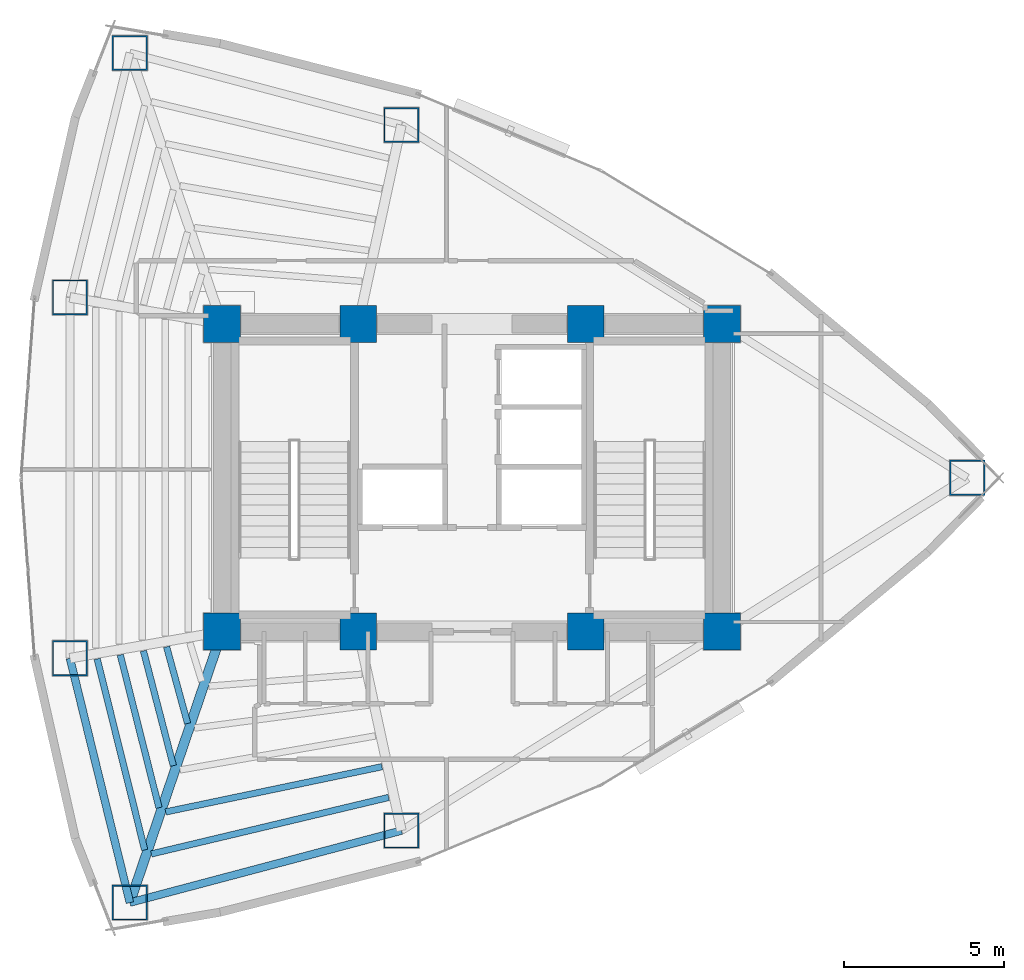
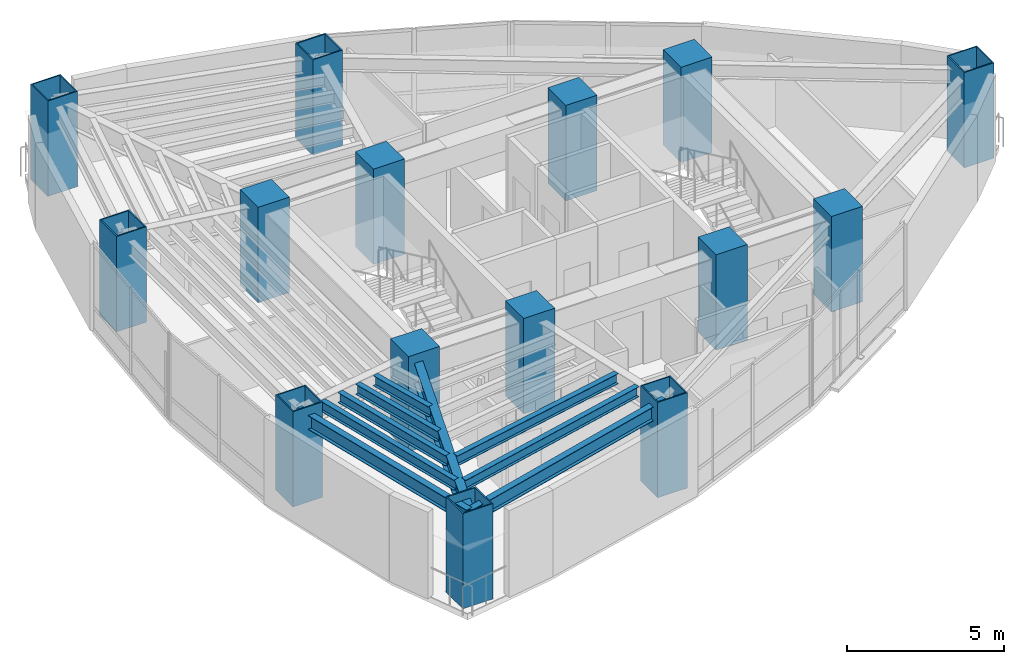
# One storey, part 1 of 15: 15 columns, 9 beams.
"""IFC4 building model written with IfcOpenShell, lengths in metres."""

from ifc_helpers import new_model, si_unit, direction, frame, origin, origin_2d, place, context, subcontext, project, spatial, rectangle, hollow_rectangle, i_section, extrude, material, material_profile, profile_set, type_object, element, save


model = new_model("IFC4")

# Units and contexts
model_context = context("Model", 3, precision=1e-05, world=origin(), true_north=direction((0.0, 1.0)))
body_context = subcontext(model_context, "Body", "Model", "MODEL_VIEW")
ifc_project = project(units=[si_unit("LENGTHUNIT", "METRE"), si_unit("AREAUNIT", "SQUARE_METRE"), si_unit("VOLUMEUNIT", "CUBIC_METRE"), si_unit("PLANEANGLEUNIT", "RADIAN"), si_unit("MASSUNIT", "GRAM", prefix="KILO")], contexts=[model_context])

# Site, building, storey
site_placement = place(None, origin())
site = spatial("IfcSite", under=ifc_project, at=site_placement, CompositionType="ELEMENT")
building_placement = place(site_placement, origin())
building = spatial("IfcBuilding", under=site, at=building_placement, Name="Menara Vayukalpa", CompositionType="ELEMENT")
storey_placement = place(building_placement, frame((0.0, 0.0, 144.89990234375)))
storey = spatial("IfcBuildingStorey", under=building, at=storey_placement, Name="L36", CompositionType="ELEMENT", Elevation=144.89990234375)

# Columns
ifc_material_1 = material(Name="Concrete C80/95", Category="concrete")
ifc_material_profile_1 = material_profile(ifc_material_1, rectangle(XDim=1.14990234375, YDim=1.14990234375, at=origin_2d()), Name="RC 1150x1150")
ifc_profile_set_1 = profile_set([ifc_material_profile_1], Name="Concrete C80/95")
column_type_1 = type_object("IfcColumnType", Name="COL-CC1", PredefinedType="COLUMN", material=ifc_profile_set_1)
for number, where, z_axis, x_axis, name in (
    (1, (17.800048828125, 17.199951171875, 0.0), (0.0, 0.0, 1.0), (1.0, 0.0, 0.0), "L36 Core Pilaster Column CC1"),
    (2, (22.050048828125, 17.199951171875, 0.0), (0.0, 0.0, 1.0), (1.0, 0.0, 0.0), "L36 Core Pilaster Column CC2"),
    (3, (29.14990234375, 17.199951171875, 0.0), (0.0, 0.0, 1.0), (1.0, 0.0, 0.0), "L36 Core Pilaster Column CC3"),
    (4, (33.39990234375, 17.199951171875, 0.0), (0.0, 0.0, 1.0), (1.0, 0.0, 0.0), "L36 Core Pilaster Column CC4"),
    (5, (17.800048828125, 26.800048828125, 0.0), (0.0, 0.0, 1.0), (1.0, 0.0, 0.0), "L36 Core Pilaster Column CC5"),
    (6, (22.050048828125, 26.800048828125, 0.0), (0.0, 0.0, 1.0), (1.0, 0.0, 0.0), "L36 Core Pilaster Column CC6"),
    (7, (29.14990234375, 26.800048828125, 0.0), (0.0, 0.0, 1.0), (1.0, 0.0, 0.0), "L36 Core Pilaster Column CC7"),
    (8, (33.39990234375, 26.800048828125, 0.0), (0.0, 0.0, 1.0), (1.0, 0.0, 0.0), "L36 Core Pilaster Column CC8"),
):
    element("IfcColumn", number, at=place(storey_placement, frame(where, z_axis=z_axis, x_axis=x_axis)), inside=storey, type_object=column_type_1, Name=name, PredefinedType="COLUMN", context=body_context, shape_type="SweptSolid", body=[
        extrude(rectangle(XDim=1.14990234375, YDim=1.14990234375, at=origin_2d()), origin(), (0.0, 0.0, 1.0), 3.72021484375),
    ])
ifc_material_2 = material(Name="Steel S460", Category="steel")
ifc_material_profile_2 = material_profile(ifc_material_2, hollow_rectangle(XDim=1.10009765625, YDim=1.10009765625, WallThickness=0.044921875, at=origin_2d()), Name="BOX 1100x1100x45")
ifc_profile_set_2 = profile_set([ifc_material_profile_2], Name="Steel S460")
column_type_2 = type_object("IfcColumnType", Name="COL-MC3", PredefinedType="COLUMN", material=ifc_profile_set_2)
for number, where, z_axis, x_axis, name in (
    (9, (41.05908203125, 22.0, 0.0), (0.0, 0.0, 1.0), (1.0, 0.0, 0.0), "L36 Perimeter Mega Column P01"),
    (10, (23.39697265625, 33.011962890625, 0.0), (0.0, 0.0, 1.0), (1.0, 0.0, 0.0), "L36 Perimeter Mega Column P03"),
    (11, (14.92041015625, 35.260498046875, 0.0), (0.0, 0.0, 1.0), (1.0, 0.0, 0.0), "L36 Perimeter Mega Column P04"),
    (12, (13.049072265625, 27.6318359375, 0.0), (0.0, 0.0, 1.0), (1.0, 0.0, 0.0), "L36 Perimeter Mega Column P05"),
    (13, (13.049072265625, 16.3681640625, 0.0), (0.0, 0.0, 1.0), (1.0, 0.0, 0.0), "L36 Perimeter Mega Column P06"),
    (14, (14.92041015625, 8.739501953125, 0.0), (0.0, 0.0, 1.0), (1.0, 0.0, 0.0), "L36 Perimeter Mega Column P07"),
    (15, (23.39697265625, 10.988037109375, 0.0), (0.0, 0.0, 1.0), (1.0, 0.0, 0.0), "L36 Perimeter Mega Column P08"),
):
    element("IfcColumn", number, at=place(storey_placement, frame(where, z_axis=z_axis, x_axis=x_axis)), inside=storey, type_object=column_type_2, Name=name, PredefinedType="COLUMN", context=body_context, shape_type="SweptSolid", body=[
        extrude(hollow_rectangle(XDim=1.10009765625, YDim=1.10009765625, WallThickness=0.044921875, at=origin_2d()), origin(), (0.0, 0.0, 1.0), 3.72021484375),
    ])

# Beams
ifc_material_3 = material(Name="Steel S355", Category="steel")
ifc_material_profile_3 = material_profile(ifc_material_3, i_section(OverallWidth=0.300048828125, OverallDepth=0.800048828125, WebThickness=0.013916015625, FlangeThickness=0.02587890625, at=origin_2d()), Name="WF 800x300x14x26")
ifc_profile_set_3 = profile_set([ifc_material_profile_3], Name="Steel S355")
beam_type_1 = type_object("IfcBeamType", Name="BM-PG3", PredefinedType="BEAM", material=ifc_profile_set_3)
beam_1_placement = place(storey_placement, frame((17.719482421875, 16.96337890625, 2.97998046875), z_axis=(-0.322207533072, -0.946669058136, 0.0), x_axis=(0.946669058136, -0.322207533072, 0.0)))
element("IfcBeam", 16, at=beam_1_placement, inside=storey, type_object=beam_type_1, Name="L36 Primary Radial Girder RG07", PredefinedType="BEAM", context=body_context, shape_type="SweptSolid", body=[
    extrude(i_section(OverallWidth=0.300048828125, OverallDepth=0.800048828125, WebThickness=0.013916015625, FlangeThickness=0.02587890625, at=origin_2d()), origin(), (0.0, 0.0, 1.0), 8.687255859375),
])
ifc_material_4 = material(Name="Steel S355", Category="steel")
ifc_material_profile_4 = material_profile(ifc_material_4, i_section(OverallWidth=0.199951171875, OverallDepth=0.39990234375, WebThickness=0.008056640625, FlangeThickness=0.012939453125, at=origin_2d()), Name="WF 400x200x8x13")
ifc_profile_set_4 = profile_set([ifc_material_profile_4], Name="Steel S355")
beam_type_2 = type_object("IfcBeamType", Name="BM-SJ2", PredefinedType="JOIST", material=ifc_profile_set_4)
beam_2_placement = place(storey_placement, frame((16.067138671875, 16.724853515625, 3.18017578125), z_axis=(0.264232640077, -0.964458973683, 0.0), x_axis=(0.964458973683, 0.264232640077, 0.0)))
element("IfcBeam", 17, at=beam_2_placement, inside=storey, type_object=beam_type_2, Name="L36 Secondary Floor Joist SJ06-2", PredefinedType="JOIST", context=body_context, shape_type="SweptSolid", body=[
    extrude(i_section(OverallWidth=0.199951171875, OverallDepth=0.39990234375, WebThickness=0.008056640625, FlangeThickness=0.012939453125, at=origin_2d()), origin(), (0.0, 0.0, 1.0), 2.481689453125),
])
beam_3_placement = place(storey_placement, frame((15.34423828125, 16.597900390625, 3.18017578125), z_axis=(0.252021814079, -0.967721553562, 0.0), x_axis=(0.967721553562, 0.252021814079, 0.0)))
element("IfcBeam", 18, at=beam_3_placement, inside=storey, type_object=beam_type_2, Name="L36 Secondary Floor Joist SJ06-3", PredefinedType="JOIST", context=body_context, shape_type="SweptSolid", body=[
    extrude(i_section(OverallWidth=0.199951171875, OverallDepth=0.39990234375, WebThickness=0.008056640625, FlangeThickness=0.012939453125, at=origin_2d()), origin(), (0.0, 0.0, 1.0), 3.701416015625),
])
beam_4_placement = place(storey_placement, frame((14.622314453125, 16.4716796875, 3.18017578125), z_axis=(0.245440749471, -0.969411593958, 0.0), x_axis=(0.969411593958, 0.245440749471, 0.0)))
element("IfcBeam", 19, at=beam_4_placement, inside=storey, type_object=beam_type_2, Name="L36 Secondary Floor Joist SJ06-4", PredefinedType="JOIST", context=body_context, shape_type="SweptSolid", body=[
    extrude(i_section(OverallWidth=0.199951171875, OverallDepth=0.39990234375, WebThickness=0.008056640625, FlangeThickness=0.012939453125, at=origin_2d()), origin(), (0.0, 0.0, 1.0), 4.921875),
])
beam_5_placement = place(storey_placement, frame((13.90087890625, 16.34521484375, 3.18017578125), z_axis=(0.241356999927, -0.970436395951, 0.0), x_axis=(0.970436395951, 0.241356999927, 0.0)))
element("IfcBeam", 20, at=beam_5_placement, inside=storey, type_object=beam_type_2, Name="L36 Secondary Floor Joist SJ06-5", PredefinedType="JOIST", context=body_context, shape_type="SweptSolid", body=[
    extrude(i_section(OverallWidth=0.199951171875, OverallDepth=0.39990234375, WebThickness=0.008056640625, FlangeThickness=0.012939453125, at=origin_2d()), origin(), (0.0, 0.0, 1.0), 6.14208984375),
])
beam_6_placement = place(storey_placement, frame((16.03857421875, 11.5703125, 3.18017578125), z_axis=(0.978829393328, 0.204677841395, 0.0), x_axis=(-0.204677841395, 0.978829393328, 0.0)))
element("IfcBeam", 21, at=beam_6_placement, inside=storey, type_object=beam_type_2, Name="L36 Secondary Floor Joist SJ07-4", PredefinedType="JOIST", context=body_context, shape_type="SweptSolid", body=[
    extrude(i_section(OverallWidth=0.199951171875, OverallDepth=0.39990234375, WebThickness=0.008056640625, FlangeThickness=0.012939453125, at=origin_2d()), origin(), (0.0, 0.0, 1.0), 6.89794921875),
])
beam_7_placement = place(storey_placement, frame((15.589599609375, 10.25927734375, 3.18017578125), z_axis=(0.972824097487, 0.231545406668, 0.0), x_axis=(-0.231545406668, 0.972824097487, 0.0)))
element("IfcBeam", 22, at=beam_7_placement, inside=storey, type_object=beam_type_2, Name="L36 Secondary Floor Joist SJ07-5", PredefinedType="JOIST", context=body_context, shape_type="SweptSolid", body=[
    extrude(i_section(OverallWidth=0.199951171875, OverallDepth=0.39990234375, WebThickness=0.008056640625, FlangeThickness=0.012939453125, at=origin_2d()), origin(), (0.0, 0.0, 1.0), 7.615966796875),
])
ifc_material_5 = material(Name="Steel S355", Category="steel")
ifc_material_profile_5 = material_profile(ifc_material_5, i_section(OverallWidth=0.239990234375, OverallDepth=0.550048828125, WebThickness=0.010986328125, FlangeThickness=0.01904296875, at=origin_2d()), Name="WF 550x240x11x19")
ifc_profile_set_5 = profile_set([ifc_material_profile_5], Name="Steel S355")
beam_type_3 = type_object("IfcBeamType", Name="BM-SP2", PredefinedType="SPANDREL", material=ifc_profile_set_5)
beam_8_placement = place(storey_placement, frame((13.049072265625, 16.3681640625, 3.10498046875), z_axis=(0.238240335346, -0.971206230733, 0.0), x_axis=(0.971206230733, 0.238240335346, 0.0)))
element("IfcBeam", 23, at=beam_8_placement, inside=storey, type_object=beam_type_3, Name="L36 Perimeter Spandrel Beam SP06", PredefinedType="SPANDREL", context=body_context, shape_type="SweptSolid", body=[
    extrude(i_section(OverallWidth=0.239990234375, OverallDepth=0.550048828125, WebThickness=0.010986328125, FlangeThickness=0.01904296875, at=origin_2d()), origin(), (0.0, 0.0, 1.0), 7.854736328125),
])
beam_9_placement = place(storey_placement, frame((14.92041015625, 8.739501953125, 3.10498046875), z_axis=(0.96657141455, 0.256397544009, 0.0), x_axis=(-0.256397544009, 0.96657141455, 0.0)))
element("IfcBeam", 24, at=beam_9_placement, inside=storey, type_object=beam_type_3, Name="L36 Perimeter Spandrel Beam SP07", PredefinedType="SPANDREL", context=body_context, shape_type="SweptSolid", body=[
    extrude(i_section(OverallWidth=0.239990234375, OverallDepth=0.550048828125, WebThickness=0.010986328125, FlangeThickness=0.01904296875, at=origin_2d()), origin(), (0.0, 0.0, 1.0), 8.769775390625),
])

save(model, "model.ifc")
